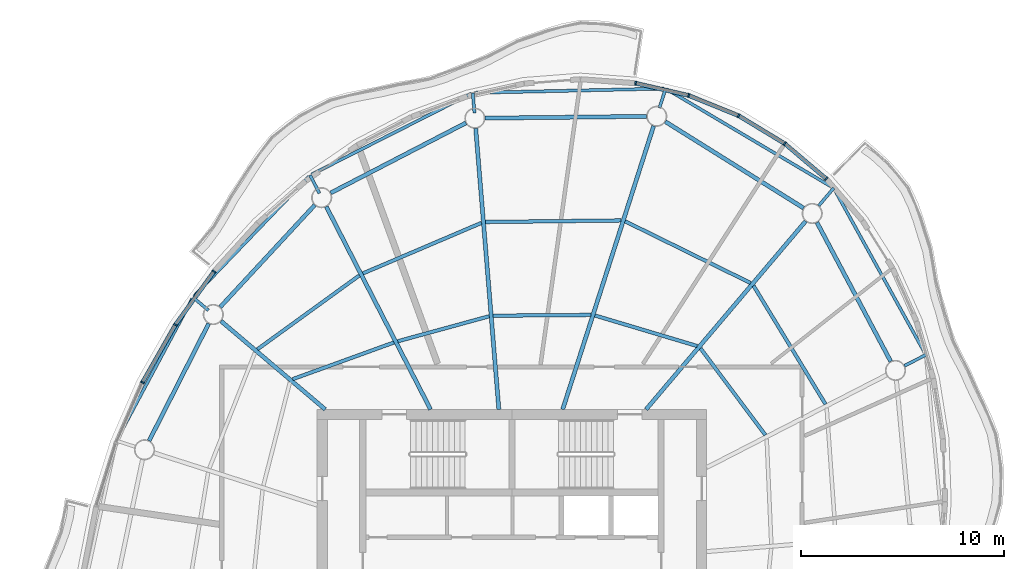
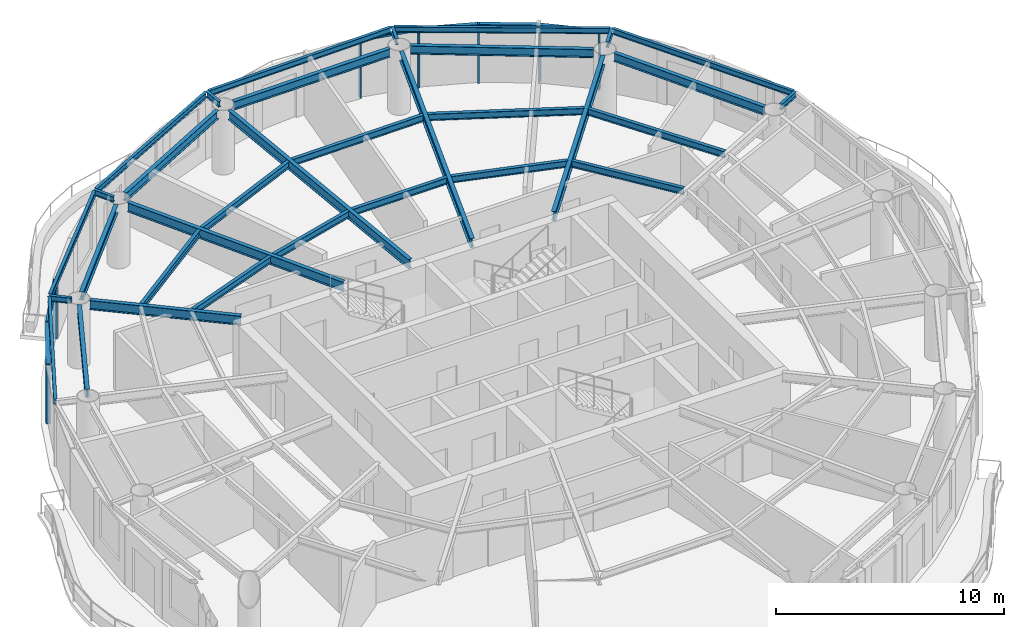
# One storey, part 5 of 13: 33 beams, 14 members, 7 elements without a shape of their own.
"""IFC4 building model written with IfcOpenShell, lengths in metres."""

import ifcopenshell
import ifcopenshell.guid

model = None  # the IFC model being written
_history = None  # IfcOwnerHistory: only IFC2X3 demands one
_inside = {}  # id of a spatial element -> (the spatial element, [elements in it])
_under = {}  # id of a project, library or spatial element -> (it, [spatial elements below it])
_declared = {}  # id of a project -> (the project, [libraries it declares])
_typed = {}  # id of a type object -> (the type object, [elements of that type])
_made_of = {}  # id of a material, layer set ... -> (it, [elements and type objects made of it])


def new_model(schema):
    """Start an empty IFC model of exactly this schema.

    Asked for "IFC4X3", IfcOpenShell would pick the latest addendum, in which some entities
    have other attributes; the version numbers below select the first issue.
    IFC2X3 requires an IfcOwnerHistory on every rooted entity: one is made here for all.
    """
    global model, _history
    if schema == "IFC4X3":
        model = ifcopenshell.file(schema_version=(4, 3, 0, 0))
    else:
        model = ifcopenshell.file(schema=schema)
    _inside.clear()
    _under.clear()
    _declared.clear()
    _typed.clear()
    _made_of.clear()
    _history = None
    if model.schema == "IFC2X3":
        org = make("IfcOrganization", Name="unknown")
        user = make(
            "IfcPersonAndOrganization",
            ThePerson=make("IfcPerson", FamilyName="unknown"),
            TheOrganization=org,
        )
        app = make(
            "IfcApplication",
            ApplicationDeveloper=org,
            Version="unknown",
            ApplicationFullName="unknown",
            ApplicationIdentifier="unknown",
        )
        _history = make(
            "IfcOwnerHistory",
            OwningUser=user,
            OwningApplication=app,
            ChangeAction="ADDED",
            CreationDate=0,
        )
    return model


def make(cls, **values):
    """One entity of the class cls with the attributes given. An attribute that is None is left unset."""
    return model.create_entity(
        cls, **{name: value for name, value in values.items() if value is not None}
    )


def rooted(cls, **values):
    """An entity with a GlobalId (a new one), such as an element, a storey or a relation."""
    return make(cls, GlobalId=ifcopenshell.guid.new(), OwnerHistory=_history, **values)


def si_unit(unit_type, name, prefix=None):
    """IfcSIUnit, for example si_unit("LENGTHUNIT", "METRE", prefix="MILLI")."""
    return make("IfcSIUnit", UnitType=unit_type, Prefix=prefix, Name=name)


def assignment(units):
    """IfcUnitAssignment: the units of a project."""
    return None if units is None else make("IfcUnitAssignment", Units=units)


def point(xyz):
    """IfcCartesianPoint."""
    return None if xyz is None else make("IfcCartesianPoint", Coordinates=xyz)


def direction(xyz):
    """IfcDirection."""
    return None if xyz is None else make("IfcDirection", DirectionRatios=xyz)


def frame(location, z_axis=None, x_axis=None):
    """IfcAxis2Placement3D, a coordinate frame: its origin and axes. An axis left out is left unset."""
    return make(
        "IfcAxis2Placement3D",
        Location=point(location),
        Axis=direction(z_axis),
        RefDirection=direction(x_axis),
    )


def frame_2d(location, x_axis=None):
    """IfcAxis2Placement2D, a coordinate frame in the plane: its origin and x axis."""
    return make(
        "IfcAxis2Placement2D", Location=point(location), RefDirection=direction(x_axis)
    )


def origin():
    """The frame at (0, 0, 0) with its axes left unset."""
    return frame((0.0, 0.0, 0.0))


def origin_2d():
    """The frame at (0, 0) in the plane with its x axis left unset."""
    return frame_2d((0.0, 0.0))


def place(relative_to, where):
    """IfcLocalPlacement: puts the frame where relative to a parent placement (None: the world)."""
    return make(
        "IfcLocalPlacement", PlacementRelTo=relative_to, RelativePlacement=where
    )


def context(
    kind, dimensions, precision=None, world=None, true_north=None, identifier=None
):
    """IfcGeometricRepresentationContext, for example the 3D "Model" context."""
    return make(
        "IfcGeometricRepresentationContext",
        ContextIdentifier=identifier,
        ContextType=kind,
        CoordinateSpaceDimension=dimensions,
        Precision=precision,
        WorldCoordinateSystem=world,
        TrueNorth=true_north,
    )


def subcontext(parent, identifier, kind, view, scale=None):
    """IfcGeometricRepresentationSubContext, for example "Body" below "Model"."""
    return make(
        "IfcGeometricRepresentationSubContext",
        ContextIdentifier=identifier,
        ContextType=kind,
        ParentContext=parent,
        TargetScale=scale,
        TargetView=view,
    )


def project(units=None, contexts=None):
    """IfcProject with its units and contexts."""
    return rooted(
        "IfcProject",
        Name="project",
        RepresentationContexts=contexts,
        UnitsInContext=assignment(units),
    )


def spatial(cls, under=None, at=None, **own):
    """A site, building, storey or space (cls), placed at a placement, below another one or the project."""
    s = rooted(cls, ObjectPlacement=at, **own)
    if under is not None:
        _under.setdefault(under.id(), (under, []))[1].append(s)
    return s


def profile(cls, at=None, kind="AREA", **sizes):
    """A parametric profile (cls). Its sizes go by their IFC names, for example OverallWidth=200.0."""
    return make(cls, ProfileType=kind, Position=at, **sizes)


def rectangle(**sizes):
    """IfcRectangleProfileDef."""
    return profile("IfcRectangleProfileDef", **sizes)


def i_section(**sizes):
    """IfcIShapeProfileDef."""
    return profile("IfcIShapeProfileDef", **sizes)


def extrude(swept, where, along, depth):
    """IfcExtrudedAreaSolid: the profile swept, set in the frame where, extruded along a direction by depth."""
    return make(
        "IfcExtrudedAreaSolid",
        SweptArea=swept,
        Position=where,
        ExtrudedDirection=direction(along),
        Depth=depth,
    )


def shape(context_of_items, identifier, shape_type, items):
    """IfcShapeRepresentation: the items that make up one representation, for example the "Body"."""
    return make(
        "IfcShapeRepresentation",
        ContextOfItems=context_of_items,
        RepresentationIdentifier=identifier,
        RepresentationType=shape_type,
        Items=items,
    )


def material(Name=None, Category=None):
    """IfcMaterial."""
    return make("IfcMaterial", Name=Name, Category=Category)


def material_profile(
    of_material, cross_section, Name=None, Category=None, Priority=None
):
    """IfcMaterialProfile: a cross section and its material."""
    return make(
        "IfcMaterialProfile",
        Name=Name,
        Material=of_material,
        Profile=cross_section,
        Priority=Priority,
        Category=Category,
    )


def profile_set(profiles, Name=None, composite=None):
    """IfcMaterialProfileSet."""
    return make(
        "IfcMaterialProfileSet",
        Name=Name,
        MaterialProfiles=profiles,
        CompositeProfile=composite,
    )


def made_of(thing, what):
    """Note that an element or type object is made of a material, layer set ...; save() writes the relation."""
    if what is not None:
        _made_of.setdefault(what.id(), (what, []))[1].append(thing)
    return thing


def type_object(cls, material=None, **own):
    """A type object (cls), such as IfcWallType, which elements share."""
    return made_of(rooted(cls, **own), material)


def element(
    cls,
    number,
    at=None,
    inside=None,
    cuts=None,
    type_object=None,
    material=None,
    context=None,
    identifier="Body",
    shape_type=None,
    held_by="IfcProductDefinitionShape",
    body=None,
    shapes=None,
    **own,
):
    """One element of the class cls, such as IfcWall. Its Tag is "e" and its number.

    at: its placement. inside: the storey or other place that contains it. cuts: it is an
    opening in that element (IfcRelVoidsElement). A single representation is given by context,
    identifier, shape_type and body (its items); several are given by shapes. held_by: the class
    of the entity that holds the representations. save() writes the other relations.
    """
    e = rooted(cls, Tag="e%d" % number, ObjectPlacement=at, **own)
    if body is not None:
        shapes = [shape(context, identifier, shape_type, body)]
    if shapes is not None:
        e.Representation = make(held_by, Representations=shapes)
    if inside is not None:
        _inside.setdefault(inside.id(), (inside, []))[1].append(e)
    if cuts is not None:
        rooted(
            "IfcRelVoidsElement", RelatingBuildingElement=cuts, RelatedOpeningElement=e
        )
    if type_object is not None:
        _typed.setdefault(type_object.id(), (type_object, []))[1].append(e)
    return made_of(e, material)


def aggregate(whole, parts):
    """IfcRelAggregates: a whole, such as a stair, and the parts it consists of."""
    return rooted("IfcRelAggregates", RelatingObject=whole, RelatedObjects=parts)


def save(model, path):
    """Write the relations noted so far, then the file.

    IfcRelAggregates (storeys below a building ...), IfcRelContainedInSpatialStructure (elements
    in a storey), IfcRelDefinesByType, IfcRelAssociatesMaterial and IfcRelDeclares: one each for
    every whole, place, type object, material and project.
    """
    for whole, parts in _under.values():
        aggregate(whole, parts)
    for where, things in _inside.values():
        rooted(
            "IfcRelContainedInSpatialStructure",
            RelatedElements=things,
            RelatingStructure=where,
        )
    for kind, things in _typed.values():
        rooted("IfcRelDefinesByType", RelatedObjects=things, RelatingType=kind)
    for what, things in _made_of.values():
        rooted("IfcRelAssociatesMaterial", RelatedObjects=things, RelatingMaterial=what)
    for by, libraries in _declared.values():
        rooted("IfcRelDeclares", RelatingContext=by, RelatedDefinitions=libraries)
    model.write(path)


model = new_model("IFC4")

# Units and contexts
model_context = context("Model", 3, precision=1e-05, world=origin(), true_north=direction((0.0, 1.0)))
body_context = subcontext(model_context, "Body", "Model", "MODEL_VIEW")
ifc_project = project(units=[si_unit("LENGTHUNIT", "METRE"), si_unit("AREAUNIT", "SQUARE_METRE"), si_unit("VOLUMEUNIT", "CUBIC_METRE"), si_unit("PLANEANGLEUNIT", "RADIAN"), si_unit("MASSUNIT", "GRAM", prefix="KILO")], contexts=[model_context])

# Site, building, storey
site_placement = place(None, origin())
site = spatial("IfcSite", under=ifc_project, at=site_placement, CompositionType="ELEMENT")
building_placement = place(site_placement, origin())
building = spatial("IfcBuilding", under=site, at=building_placement, Name="Vermilion Reach Broadcast Tower", CompositionType="ELEMENT")
storey_placement = place(building_placement, frame((0.0, 0.0, 286.5)))
storey = spatial("IfcBuildingStorey", under=building, at=storey_placement, Name="L71", CompositionType="ELEMENT", Elevation=286.5)

# Beams
ifc_material_1 = material(Name="Steel S355J2", Category="steel")
ifc_material_profile_1 = material_profile(ifc_material_1, i_section(OverallWidth=0.14990234375, OverallDepth=0.300048828125, WebThickness=0.006591796875, FlangeThickness=0.009033203125, at=origin_2d()), Name="S355J2 HN 300x150x6.5x9")
ifc_profile_set_1 = profile_set([ifc_material_profile_1], Name="Steel S355J2")
beam_type_1 = type_object("IfcBeamType", Name="EB5 HN 300x150x6.5x9", PredefinedType="BEAM", material=ifc_profile_set_1)
beam_1_placement = place(storey_placement, frame((1.4970703125, 23.6103515625, 3.300048828125), z_axis=(-0.999756106831, -0.022084538785, 0.0), x_axis=(0.022084538785, -0.999756106831, 0.0)))
element("IfcBeam", 1, at=beam_1_placement, inside=storey, type_object=beam_type_1, Name="Edge beam EB5-01", PredefinedType="BEAM", context=body_context, shape_type="SweptSolid", body=[
    extrude(i_section(OverallWidth=0.14990234375, OverallDepth=0.300048828125, WebThickness=0.006591796875, FlangeThickness=0.009033203125, at=origin_2d()), origin(), (0.0, 0.0, 1.0), 9.352294921875),
])
beam_2_placement = place(storey_placement, frame((-8.000244140625, 23.365478515625, 3.300048828125), z_axis=(-0.892020021108, -0.451995887086, 0.0), x_axis=(0.451995887086, -0.892020021108, 0.0)))
element("IfcBeam", 2, at=beam_2_placement, inside=storey, type_object=beam_type_1, Name="Edge beam EB5-02", PredefinedType="BEAM", context=body_context, shape_type="SweptSolid", body=[
    extrude(i_section(OverallWidth=0.14990234375, OverallDepth=0.300048828125, WebThickness=0.006591796875, FlangeThickness=0.009033203125, at=origin_2d()), origin(), (0.0, 0.0, 1.0), 8.830078125),
])
beam_3_placement = place(storey_placement, frame((-15.998779296875, 19.283203125, 3.300048828125), z_axis=(-0.692596409153, -0.721325317751, 0.0), x_axis=(0.721325317751, -0.692596409153, 0.0)))
element("IfcBeam", 3, at=beam_3_placement, inside=storey, type_object=beam_type_1, Name="Edge beam EB5-03", PredefinedType="BEAM", context=body_context, shape_type="SweptSolid", body=[
    extrude(i_section(OverallWidth=0.14990234375, OverallDepth=0.300048828125, WebThickness=0.006591796875, FlangeThickness=0.009033203125, at=origin_2d()), origin(), (0.0, 0.0, 1.0), 8.18359375),
])
beam_4_placement = place(storey_placement, frame((-21.7548828125, 13.258056640625, 3.300048828125), z_axis=(-0.471195709216, -0.882028686391, 0.0), x_axis=(0.882028686391, -0.471195709216, 0.0)))
element("IfcBeam", 4, at=beam_4_placement, inside=storey, type_object=beam_type_1, Name="Edge beam EB5-04", PredefinedType="BEAM", context=body_context, shape_type="SweptSolid", body=[
    extrude(i_section(OverallWidth=0.14990234375, OverallDepth=0.300048828125, WebThickness=0.006591796875, FlangeThickness=0.009033203125, at=origin_2d()), origin(), (0.0, 0.0, 1.0), 7.862548828125),
])
beam_5_placement = place(storey_placement, frame((14.3662109375, 10.5556640625, 3.300048828125), z_axis=(-0.483780975523, 0.875189103978, 0.0), x_axis=(-0.875189103978, -0.483780975523, 0.0)))
element("IfcBeam", 5, at=beam_5_placement, inside=storey, type_object=beam_type_1, Name="Edge beam EB5-15", PredefinedType="BEAM", context=body_context, shape_type="SweptSolid", body=[
    extrude(i_section(OverallWidth=0.14990234375, OverallDepth=0.300048828125, WebThickness=0.006591796875, FlangeThickness=0.009033203125, at=origin_2d()), origin(), (0.0, 0.0, 1.0), 9.234619140625),
])
beam_6_placement = place(storey_placement, frame((9.79443359375, 18.74658203125, 3.300048828125), z_axis=(-0.860491146518, 0.509465393097, 0.0), x_axis=(-0.509465393097, -0.860491146518, 0.0)))
element("IfcBeam", 6, at=beam_6_placement, inside=storey, type_object=beam_type_1, Name="Edge beam EB5-16", PredefinedType="BEAM", context=body_context, shape_type="SweptSolid", body=[
    extrude(i_section(OverallWidth=0.14990234375, OverallDepth=0.300048828125, WebThickness=0.006591796875, FlangeThickness=0.009033203125, at=origin_2d()), origin(), (0.0, 0.0, 1.0), 9.473388671875),
])
ifc_material_2 = material(Name="Steel S355J2", Category="steel")
ifc_material_profile_2 = material_profile(ifc_material_2, i_section(OverallWidth=0.199951171875, OverallDepth=0.5, WebThickness=0.010009765625, FlangeThickness=0.01611328125, at=origin_2d()), Name="S355J2 HN 500x200x10x16")
ifc_profile_set_2 = profile_set([ifc_material_profile_2], Name="Steel S355J2")
beam_type_2 = type_object("IfcBeamType", Name="G5 HN 500x200x10x16", PredefinedType="BEAM", material=ifc_profile_set_2)
beam_7_placement = place(storey_placement, frame((-3.497314453125, 7.800048828125, 3.199951171875), z_axis=(0.305545401295, 0.952177508528, 0.0), x_axis=(-0.952177508528, 0.305545401295, 0.0)))
element("IfcBeam", 7, at=beam_7_placement, inside=storey, type_object=beam_type_2, Name="Girder G5-01", PredefinedType="BEAM", context=body_context, shape_type="SweptSolid", body=[
    extrude(i_section(OverallWidth=0.199951171875, OverallDepth=0.5, WebThickness=0.010009765625, FlangeThickness=0.01611328125, at=origin_2d()), origin(), (0.0, 0.0, 1.0), 14.672607421875),
])
beam_8_placement = place(storey_placement, frame((-6.642578125, 7.800048828125, 3.199951171875), z_axis=(-0.082123744247, 0.996622140347, 0.0), x_axis=(-0.996622140347, -0.082123744247, 0.0)))
element("IfcBeam", 8, at=beam_8_placement, inside=storey, type_object=beam_type_2, Name="Girder G5-02", PredefinedType="BEAM", context=body_context, shape_type="SweptSolid", body=[
    extrude(i_section(OverallWidth=0.199951171875, OverallDepth=0.5, WebThickness=0.010009765625, FlangeThickness=0.01611328125, at=origin_2d()), origin(), (0.0, 0.0, 1.0), 13.89794921875),
])
beam_9_placement = place(storey_placement, frame((-10.010498046875, 7.800048828125, 3.199951171875), z_axis=(-0.457258168112, 0.889334002327, 0.0), x_axis=(-0.889334002327, -0.457258168112, 0.0)))
element("IfcBeam", 9, at=beam_9_placement, inside=storey, type_object=beam_type_2, Name="Girder G5-03", PredefinedType="BEAM", context=body_context, shape_type="SweptSolid", body=[
    extrude(i_section(OverallWidth=0.199951171875, OverallDepth=0.5, WebThickness=0.010009765625, FlangeThickness=0.01611328125, at=origin_2d()), origin(), (0.0, 0.0, 1.0), 11.236328125),
])
beam_10_placement = place(storey_placement, frame((-15.20068359375, 7.800048828125, 3.199951171875), z_axis=(-0.762793125612, 0.646642596431, 0.0), x_axis=(-0.646642596431, -0.762793125612, 0.0)))
element("IfcBeam", 10, at=beam_10_placement, inside=storey, type_object=beam_type_2, Name="Girder G5-04", PredefinedType="BEAM", context=body_context, shape_type="SweptSolid", body=[
    extrude(i_section(OverallWidth=0.199951171875, OverallDepth=0.5, WebThickness=0.010009765625, FlangeThickness=0.01611328125, at=origin_2d()), origin(), (0.0, 0.0, 1.0), 6.732421875),
])
beam_11_placement = place(storey_placement, frame((0.612548828125, 7.800048828125, 3.199951171875), z_axis=(0.646658335602, 0.762779782766, 0.0), x_axis=(-0.762779782766, 0.646658335602, 0.0)))
element("IfcBeam", 11, at=beam_11_placement, inside=storey, type_object=beam_type_2, Name="Girder G5-16", PredefinedType="BEAM", context=body_context, shape_type="SweptSolid", body=[
    extrude(i_section(OverallWidth=0.199951171875, OverallDepth=0.5, WebThickness=0.010009765625, FlangeThickness=0.01611328125, at=origin_2d()), origin(), (0.0, 0.0, 1.0), 12.16064453125),
])
ifc_material_3 = material(Name="Steel S355J2", Category="steel")
ifc_material_profile_3 = material_profile(ifc_material_3, i_section(OverallWidth=0.14990234375, OverallDepth=0.300048828125, WebThickness=0.006591796875, FlangeThickness=0.009033203125, at=origin_2d()), Name="S355J2 HN 300x150x6.5x9")
ifc_profile_set_3 = profile_set([ifc_material_profile_3], Name="Steel S355J2")
beam_type_3 = type_object("IfcBeamType", Name="GS5 HN 300x150x6.5x9", PredefinedType="BEAM", material=ifc_profile_set_3)
for number, where, z_axis, x_axis, name in (
    (12, (1.27099609375, 22.659912109375, 3.300048828125), (0.305440085295, 0.952211297084, 0.0), (-0.952211297084, 0.305440085295, 0.0), "Cantilever stub GS5-01"),
    (13, (-7.845947265625, 22.405517578125, 3.300048828125), (-0.082277653912, 0.996609445905, 0.0), (-0.996609445905, -0.082277653912, 0.0), "Cantilever stub GS5-02"),
    (14, (-15.486572265625, 18.450927734375, 3.300048828125), (-0.457243204998, 0.889341695572, 0.0), (-0.889341695572, -0.457243204998, 0.0), "Cantilever stub GS5-03"),
    (15, (-20.9560546875, 12.67919921875, 3.300048828125), (-0.762709837443, 0.64674083207, 0.0), (-0.64674083207, -0.762709837443, 0.0), "Cantilever stub GS5-04"),
):
    element("IfcBeam", number, at=place(storey_placement, frame(where, z_axis=z_axis, x_axis=x_axis)), inside=storey, type_object=beam_type_3, Name=name, PredefinedType="BEAM", context=body_context, shape_type="SweptSolid", body=[
        extrude(i_section(OverallWidth=0.14990234375, OverallDepth=0.300048828125, WebThickness=0.006591796875, FlangeThickness=0.009033203125, at=origin_2d()), origin(), (0.0, 0.0, 1.0), 1.0),
    ])
beam_12_placement = place(storey_placement, frame((13.35009765625, 9.948974609375, 3.300048828125), z_axis=(0.889378883648, 0.457170866658, 0.0), x_axis=(-0.457170866658, 0.889378883648, 0.0)))
element("IfcBeam", 16, at=beam_12_placement, inside=storey, type_object=beam_type_3, Name="Cantilever stub GS5-15", PredefinedType="BEAM", context=body_context, shape_type="SweptSolid", body=[
    extrude(i_section(OverallWidth=0.14990234375, OverallDepth=0.300048828125, WebThickness=0.006591796875, FlangeThickness=0.009033203125, at=origin_2d()), origin(), (0.0, 0.0, 1.0), 1.183349609375),
])
beam_13_placement = place(storey_placement, frame((9.123046875, 17.838623046875, 3.300048828125), z_axis=(0.646547054525, 0.762874109067, 0.0), x_axis=(-0.762874109067, 0.646547054525, 0.0)))
element("IfcBeam", 17, at=beam_13_placement, inside=storey, type_object=beam_type_3, Name="Cantilever stub GS5-16", PredefinedType="BEAM", context=body_context, shape_type="SweptSolid", body=[
    extrude(i_section(OverallWidth=0.14990234375, OverallDepth=0.300048828125, WebThickness=0.006591796875, FlangeThickness=0.009033203125, at=origin_2d()), origin(), (0.0, 0.0, 1.0), 1.1396484375),
])
ifc_material_4 = material(Name="Steel S355J2", Category="steel")
ifc_material_profile_4 = material_profile(ifc_material_4, i_section(OverallWidth=0.199951171875, OverallDepth=0.449951171875, WebThickness=0.009033203125, FlangeThickness=0.013916015625, at=origin_2d()), Name="S355J2 HN 450x200x9x14")
ifc_profile_set_4 = profile_set([ifc_material_profile_4], Name="Steel S355J2")
beam_type_4 = type_object("IfcBeamType", Name="RB5 HN 450x200x9x14", PredefinedType="BEAM", material=ifc_profile_set_4)
beam_14_placement = place(storey_placement, frame((0.638427734375, 22.24169921875, 3.22509765625), z_axis=(-0.999940445231, -0.010913569149, 0.0), x_axis=(0.010913569149, -0.999940445231, 0.0)))
element("IfcBeam", 18, at=beam_14_placement, inside=storey, type_object=beam_type_4, Name="Ring beam RB5-01", PredefinedType="BEAM", context=body_context, shape_type="SweptSolid", body=[
    extrude(i_section(OverallWidth=0.199951171875, OverallDepth=0.449951171875, WebThickness=0.009033203125, FlangeThickness=0.013916015625, at=origin_2d()), origin(), (0.0, 0.0, 1.0), 7.9638671875),
])
beam_15_placement = place(storey_placement, frame((-8.268798828125, 21.91943359375, 3.22509765625), z_axis=(-0.887960248279, -0.459920207729, 0.0), x_axis=(0.459920207729, -0.887960248279, 0.0)))
element("IfcBeam", 19, at=beam_15_placement, inside=storey, type_object=beam_type_4, Name="Ring beam RB5-02", PredefinedType="BEAM", context=body_context, shape_type="SweptSolid", body=[
    extrude(i_section(OverallWidth=0.199951171875, OverallDepth=0.449951171875, WebThickness=0.009033203125, FlangeThickness=0.013916015625, at=origin_2d()), origin(), (0.0, 0.0, 1.0), 7.5048828125),
])
beam_16_placement = place(storey_placement, frame((-15.716796875, 17.87109375, 3.22509765625), z_axis=(-0.679837550075, -0.733362738014, 0.0), x_axis=(0.733362738014, -0.679837550075, 0.0)))
element("IfcBeam", 20, at=beam_16_placement, inside=storey, type_object=beam_type_4, Name="Ring beam RB5-03", PredefinedType="BEAM", context=body_context, shape_type="SweptSolid", body=[
    extrude(i_section(OverallWidth=0.199951171875, OverallDepth=0.449951171875, WebThickness=0.009033203125, FlangeThickness=0.013916015625, at=origin_2d()), origin(), (0.0, 0.0, 1.0), 6.85546875),
])
beam_17_placement = place(storey_placement, frame((-20.944091796875, 12.03125, 3.22509765625), z_axis=(-0.453052302855, -0.891483937532, 0.0), x_axis=(0.891483937532, -0.453052302855, 0.0)))
element("IfcBeam", 21, at=beam_17_placement, inside=storey, type_object=beam_type_4, Name="Ring beam RB5-04", PredefinedType="BEAM", context=body_context, shape_type="SweptSolid", body=[
    extrude(i_section(OverallWidth=0.199951171875, OverallDepth=0.449951171875, WebThickness=0.009033203125, FlangeThickness=0.013916015625, at=origin_2d()), origin(), (0.0, 0.0, 1.0), 6.47900390625),
])
beam_18_placement = place(storey_placement, frame((12.671142578125, 10.161865234375, 3.22509765625), z_axis=(-0.468767917375, 0.883321368269, 0.0), x_axis=(-0.883321368269, -0.468767917375, 0.0)))
element("IfcBeam", 22, at=beam_18_placement, inside=storey, type_object=beam_type_4, Name="Ring beam RB5-15", PredefinedType="BEAM", context=body_context, shape_type="SweptSolid", body=[
    extrude(i_section(OverallWidth=0.199951171875, OverallDepth=0.449951171875, WebThickness=0.009033203125, FlangeThickness=0.013916015625, at=origin_2d()), origin(), (0.0, 0.0, 1.0), 7.759033203125),
])
beam_19_placement = place(storey_placement, frame((8.375732421875, 17.722412109375, 3.22509765625), z_axis=(-0.847914653245, 0.530132757724, 0.0), x_axis=(-0.530132757724, -0.847914653245, 0.0)))
element("IfcBeam", 23, at=beam_19_placement, inside=storey, type_object=beam_type_4, Name="Ring beam RB5-16", PredefinedType="BEAM", context=body_context, shape_type="SweptSolid", body=[
    extrude(i_section(OverallWidth=0.199951171875, OverallDepth=0.449951171875, WebThickness=0.009033203125, FlangeThickness=0.013916015625, at=origin_2d()), origin(), (0.0, 0.0, 1.0), 8.035400390625),
])
ifc_material_5 = material(Name="Steel S355J2", Category="steel")
ifc_material_profile_5 = material_profile(ifc_material_5, i_section(OverallWidth=0.175048828125, OverallDepth=0.35009765625, WebThickness=0.007080078125, FlangeThickness=0.010986328125, at=origin_2d()), Name="S355J2 HN 350x175x7x11")
ifc_profile_set_5 = profile_set([ifc_material_profile_5], Name="Steel S355J2")
beam_type_5 = type_object("IfcBeamType", Name="SB5 HN 350x175x7x11", PredefinedType="BEAM", material=ifc_profile_set_5)
beam_20_placement = place(storey_placement, frame((-2.108154296875, 12.4560546875, 3.27490234375), z_axis=(-0.999968312294, -0.007960804474, 0.0), x_axis=(0.007960804474, -0.999968312294, 0.0)))
element("IfcBeam", 24, at=beam_20_placement, inside=storey, type_object=beam_type_5, Name="Secondary beam SB5-01-1", PredefinedType="BEAM", context=body_context, shape_type="SweptSolid", body=[
    extrude(i_section(OverallWidth=0.175048828125, OverallDepth=0.35009765625, WebThickness=0.007080078125, FlangeThickness=0.010986328125, at=origin_2d()), origin(), (0.0, 0.0, 1.0), 4.81494140625),
])
beam_21_placement = place(storey_placement, frame((-0.614013671875, 17.11279296875, 3.27490234375), z_axis=(-0.999932654133, -0.011605481368, 0.0), x_axis=(0.011605481368, -0.999932654133, 0.0)))
element("IfcBeam", 25, at=beam_21_placement, inside=storey, type_object=beam_type_5, Name="Secondary beam SB5-01-2", PredefinedType="BEAM", context=body_context, shape_type="SweptSolid", body=[
    extrude(i_section(OverallWidth=0.175048828125, OverallDepth=0.35009765625, WebThickness=0.007080078125, FlangeThickness=0.010986328125, at=origin_2d()), origin(), (0.0, 0.0, 1.0), 6.689697265625),
])
beam_22_placement = place(storey_placement, frame((-7.12109375, 12.39013671875, 3.27490234375), z_axis=(-0.964547496851, -0.263909314573, 0.0), x_axis=(0.263909314573, -0.964547496851, 0.0)))
element("IfcBeam", 26, at=beam_22_placement, inside=storey, type_object=beam_type_5, Name="Secondary beam SB5-02-1", PredefinedType="BEAM", context=body_context, shape_type="SweptSolid", body=[
    extrude(i_section(OverallWidth=0.175048828125, OverallDepth=0.35009765625, WebThickness=0.007080078125, FlangeThickness=0.010986328125, at=origin_2d()), origin(), (0.0, 0.0, 1.0), 4.6689453125),
])
beam_23_placement = place(storey_placement, frame((-7.50048828125, 16.99267578125, 3.27490234375), z_axis=(-0.919880986172, -0.392197617637, 0.0), x_axis=(0.392197617637, -0.919880986172, 0.0)))
element("IfcBeam", 27, at=beam_23_placement, inside=storey, type_object=beam_type_5, Name="Secondary beam SB5-02-2", PredefinedType="BEAM", context=body_context, shape_type="SweptSolid", body=[
    extrude(i_section(OverallWidth=0.175048828125, OverallDepth=0.35009765625, WebThickness=0.007080078125, FlangeThickness=0.010986328125, at=origin_2d()), origin(), (0.0, 0.0, 1.0), 6.351806640625),
])
beam_24_placement = place(storey_placement, frame((-11.81787109375, 11.0966796875, 3.27490234375), z_axis=(-0.940220108875, -0.340567389613, 0.0), x_axis=(0.340567389613, -0.940220108875, 0.0)))
element("IfcBeam", 28, at=beam_24_placement, inside=storey, type_object=beam_type_5, Name="Secondary beam SB5-03-1", PredefinedType="BEAM", context=body_context, shape_type="SweptSolid", body=[
    extrude(i_section(OverallWidth=0.175048828125, OverallDepth=0.35009765625, WebThickness=0.007080078125, FlangeThickness=0.010986328125, at=origin_2d()), origin(), (0.0, 0.0, 1.0), 5.303466796875),
])
beam_25_placement = place(storey_placement, frame((-13.517578125, 14.402587890625, 3.27490234375), z_axis=(-0.809771251518, -0.586745703192, 0.0), x_axis=(0.586745703192, -0.809771251518, 0.0)))
element("IfcBeam", 29, at=beam_25_placement, inside=storey, type_object=beam_type_5, Name="Secondary beam SB5-03-2", PredefinedType="BEAM", context=body_context, shape_type="SweptSolid", body=[
    extrude(i_section(OverallWidth=0.175048828125, OverallDepth=0.35009765625, WebThickness=0.007080078125, FlangeThickness=0.010986328125, at=origin_2d()), origin(), (0.0, 0.0, 1.0), 6.20361328125),
])
beam_26_placement = place(storey_placement, frame((6.492919921875, 6.53564453125, 3.27490234375), z_axis=(-0.599055582645, 0.800707442767, 0.0), x_axis=(-0.800707442767, -0.599055582645, 0.0)))
element("IfcBeam", 30, at=beam_26_placement, inside=storey, type_object=beam_type_5, Name="Secondary beam SB5-15-1", PredefinedType="BEAM", context=body_context, shape_type="SweptSolid", body=[
    extrude(i_section(OverallWidth=0.175048828125, OverallDepth=0.35009765625, WebThickness=0.007080078125, FlangeThickness=0.010986328125, at=origin_2d()), origin(), (0.0, 0.0, 1.0), 5.337890625),
])
beam_27_placement = place(storey_placement, frame((9.455078125, 8.058837890625, 3.27490234375), z_axis=(-0.519272962556, 0.854608442714, 0.0), x_axis=(-0.854608442714, -0.519272962556, 0.0)))
element("IfcBeam", 31, at=beam_27_placement, inside=storey, type_object=beam_type_5, Name="Secondary beam SB5-15-2", PredefinedType="BEAM", context=body_context, shape_type="SweptSolid", body=[
    extrude(i_section(OverallWidth=0.175048828125, OverallDepth=0.35009765625, WebThickness=0.007080078125, FlangeThickness=0.010986328125, at=origin_2d()), origin(), (0.0, 0.0, 1.0), 6.82763671875),
])
beam_28_placement = place(storey_placement, frame((3.129150390625, 10.92333984375, 3.27490234375), z_axis=(-0.958124906971, 0.286350593925, 0.0), x_axis=(-0.286350593925, -0.958124906971, 0.0)))
element("IfcBeam", 32, at=beam_28_placement, inside=storey, type_object=beam_type_5, Name="Secondary beam SB5-16-1", PredefinedType="BEAM", context=body_context, shape_type="SweptSolid", body=[
    extrude(i_section(OverallWidth=0.175048828125, OverallDepth=0.35009765625, WebThickness=0.007080078125, FlangeThickness=0.010986328125, at=origin_2d()), origin(), (0.0, 0.0, 1.0), 5.25634765625),
])
beam_29_placement = place(storey_placement, frame((5.762451171875, 14.029541015625, 3.27490234375), z_axis=(-0.897335928087, 0.441348198325, 0.0), x_axis=(-0.441348198325, -0.897335928087, 0.0)))
element("IfcBeam", 33, at=beam_29_placement, inside=storey, type_object=beam_type_5, Name="Secondary beam SB5-16-2", PredefinedType="BEAM", context=body_context, shape_type="SweptSolid", body=[
    extrude(i_section(OverallWidth=0.175048828125, OverallDepth=0.35009765625, WebThickness=0.007080078125, FlangeThickness=0.010986328125, at=origin_2d()), origin(), (0.0, 0.0, 1.0), 6.887451171875),
])

# Curtain wall, member
ifc_material_6 = material(Name="Low-e laminated clear glass in aluminium frame", Category="aluminium")
curtain_wall_type = type_object("IfcCurtainWallType", Name="Slot curtain wall", PredefinedType="NOTDEFINED", material=ifc_material_6)
placement = place(storey_placement, origin())
curtain_wall_1 = element("IfcCurtainWall", 34, at=placement, inside=storey, type_object=curtain_wall_type, Name="Slot curtain wall L71 46", PredefinedType="NOTDEFINED")
ifc_material_7 = material(Name="Anodised aluminium", Category="aluminium")
ifc_material_profile_6 = material_profile(ifc_material_7, rectangle(XDim=0.199951171875, YDim=0.080078125, at=origin_2d()), Name="Slot mullion 80 x 200")
ifc_profile_set_6 = profile_set([ifc_material_profile_6], Name="Anodised aluminium")
member_type_1 = type_object("IfcMemberType", Name="Slot mullion 80 x 200", PredefinedType="MULLION", material=ifc_profile_set_6)
member_1_placement = place(storey_placement, frame((9.4931640625, 19.163818359375, 0.0), z_axis=(0.0, 0.0, 1.0), x_axis=(-0.703562105428, -0.71063377615, 0.0)))
member_1 = element("IfcMember", 35, at=member_1_placement, type_object=member_type_1, Name="Slot mullion L71 46", PredefinedType="MULLION", context=body_context, shape_type="SweptSolid", body=[
    extrude(rectangle(XDim=0.199951171875, YDim=0.080078125, at=origin_2d()), origin(), (0.0, 0.0, 1.0), 3.14990234375),
])

curtain_wall_2 = element("IfcCurtainWall", 36, at=placement, inside=storey, type_object=curtain_wall_type, Name="Slot curtain wall L71 47", PredefinedType="NOTDEFINED")
member_2_placement = place(storey_placement, frame((7.44775390625, 20.8974609375, 0.0), z_axis=(0.0, 0.0, 1.0), x_axis=(-0.58423425323, -0.811585077088, 0.0)))
member_2 = element("IfcMember", 37, at=member_2_placement, type_object=member_type_1, Name="Slot mullion L71 47", PredefinedType="MULLION", context=body_context, shape_type="SweptSolid", body=[
    extrude(rectangle(XDim=0.199951171875, YDim=0.080078125, at=origin_2d()), origin(), (0.0, 0.0, 1.0), 3.14990234375),
])

curtain_wall_3 = element("IfcCurtainWall", 38, at=placement, inside=storey, type_object=curtain_wall_type, Name="Slot curtain wall L71 00", PredefinedType="NOTDEFINED")
member_3_placement = place(storey_placement, frame((5.174072265625, 22.275146484375, 0.0), z_axis=(0.0, 0.0, 1.0), x_axis=(-0.448383177697, -0.89384144341, 0.0)))
member_3 = element("IfcMember", 39, at=member_3_placement, type_object=member_type_1, Name="Slot mullion L71 00", PredefinedType="MULLION", context=body_context, shape_type="SweptSolid", body=[
    extrude(rectangle(XDim=0.199951171875, YDim=0.080078125, at=origin_2d()), origin(), (0.0, 0.0, 1.0), 3.14990234375),
])

# Curtain wall, members
curtain_wall_4 = element("IfcCurtainWall", 40, at=placement, inside=storey, type_object=curtain_wall_type, Name="Slot curtain wall L71 01", PredefinedType="NOTDEFINED")
member_4_placement = place(storey_placement, frame((2.710205078125, 23.27392578125, 0.0), z_axis=(0.0, 0.0, 1.0), x_axis=(-0.301223233776, -0.953553650003, 0.0)))
member_4 = element("IfcMember", 41, at=member_4_placement, type_object=member_type_1, Name="Slot mullion L71 01", PredefinedType="MULLION", context=body_context, shape_type="SweptSolid", body=[
    extrude(rectangle(XDim=0.199951171875, YDim=0.080078125, at=origin_2d()), origin(), (0.0, 0.0, 1.0), 3.14990234375),
])
member_5_placement = place(storey_placement, frame((0.09765625, 23.876953125, 0.0), z_axis=(0.0, 0.0, 1.0), x_axis=(-0.1489572903, -0.988843630543, 0.0)))
member_5 = element("IfcMember", 42, at=member_5_placement, type_object=member_type_1, Name="Slot mullion L71 02", PredefinedType="MULLION", context=body_context, shape_type="SweptSolid", body=[
    extrude(rectangle(XDim=0.199951171875, YDim=0.080078125, at=origin_2d()), origin(), (0.0, 0.0, 1.0), 3.14990234375),
])

# Curtain wall, member
curtain_wall_5 = element("IfcCurtainWall", 43, at=placement, inside=storey, type_object=curtain_wall_type, Name="Slot curtain wall L71 10", PredefinedType="NOTDEFINED")
member_6_placement = place(storey_placement, frame((-20.68359375, 14.5966796875, 0.0), z_axis=(0.0, 0.0, 1.0), x_axis=(0.776695686452, -0.629876027999, 0.0)))
member_6 = element("IfcMember", 44, at=member_6_placement, type_object=member_type_1, Name="Slot mullion L71 10", PredefinedType="MULLION", context=body_context, shape_type="SweptSolid", body=[
    extrude(rectangle(XDim=0.199951171875, YDim=0.080078125, at=origin_2d()), origin(), (0.0, 0.0, 1.0), 3.14990234375),
])

curtain_wall_6 = element("IfcCurtainWall", 45, at=placement, inside=storey, type_object=curtain_wall_type, Name="Slot curtain wall L71 11", PredefinedType="NOTDEFINED")
member_7_placement = place(storey_placement, frame((-22.586669921875, 11.967529296875, 0.0), z_axis=(0.0, 0.0, 1.0), x_axis=(0.84051062478, -0.541795062391, 0.0)))
member_7 = element("IfcMember", 46, at=member_7_placement, type_object=member_type_1, Name="Slot mullion L71 11", PredefinedType="MULLION", context=body_context, shape_type="SweptSolid", body=[
    extrude(rectangle(XDim=0.199951171875, YDim=0.080078125, at=origin_2d()), origin(), (0.0, 0.0, 1.0), 3.14990234375),
])

curtain_wall_7 = element("IfcCurtainWall", 47, at=placement, inside=storey, type_object=curtain_wall_type, Name="Slot curtain wall L71 12", PredefinedType="NOTDEFINED")
member_8_placement = place(storey_placement, frame((-24.204833984375, 9.13232421875, 0.0), z_axis=(0.0, 0.0, 1.0), x_axis=(0.893841418626, -0.448383227104, 0.0)))
member_8 = element("IfcMember", 48, at=member_8_placement, type_object=member_type_1, Name="Slot mullion L71 12", PredefinedType="MULLION", context=body_context, shape_type="SweptSolid", body=[
    extrude(rectangle(XDim=0.199951171875, YDim=0.080078125, at=origin_2d()), origin(), (0.0, 0.0, 1.0), 3.14990234375),
])
aggregate(curtain_wall_7, [member_8])

# Member
ifc_material_8 = material(Name="Anodised aluminium", Category="aluminium")
ifc_material_profile_7 = material_profile(ifc_material_8, rectangle(XDim=0.199951171875, YDim=0.10009765625, at=origin_2d()), Name="Slot transom 200 x 100")
ifc_profile_set_7 = profile_set([ifc_material_profile_7], Name="Anodised aluminium")
member_type_2 = type_object("IfcMemberType", Name="Slot transom 200 x 100", PredefinedType="USERDEFINED", material=ifc_profile_set_7)
member_9_placement = place(storey_placement, frame((9.462646484375, 19.189697265625, 3.10009765625), z_axis=(-0.762855583911, 0.646568912102, 0.0), x_axis=(-0.646568912102, -0.762855583911, 0.0)))
member_9 = element("IfcMember", 49, at=member_9_placement, type_object=member_type_2, Name="Slot transom L71 46.1", ObjectType="TRANSOM", PredefinedType="USERDEFINED", context=body_context, shape_type="SweptSolid", body=[
    extrude(rectangle(XDim=0.199951171875, YDim=0.10009765625, at=origin_2d()), origin(), (0.0, 0.0, 1.0), 2.601318359375),
])

aggregate(curtain_wall_1, [member_1, member_9])

member_10_placement = place(storey_placement, frame((7.41357421875, 20.918212890625, 3.10009765625), z_axis=(-0.855262684267, 0.51819469401, 0.0), x_axis=(-0.51819469401, -0.855262684267, 0.0)))
member_10 = element("IfcMember", 50, at=member_10_placement, type_object=member_type_2, Name="Slot transom L71 47.1", ObjectType="TRANSOM", PredefinedType="USERDEFINED", context=body_context, shape_type="SweptSolid", body=[
    extrude(rectangle(XDim=0.199951171875, YDim=0.10009765625, at=origin_2d()), origin(), (0.0, 0.0, 1.0), 2.57861328125),
])

aggregate(curtain_wall_2, [member_2, member_10])

member_11_placement = place(storey_placement, frame((5.136962890625, 22.290283203125, 3.10009765625), z_axis=(-0.926775795344, 0.375614995927, 0.0), x_axis=(-0.375614995927, -0.926775795344, 0.0)))
member_11 = element("IfcMember", 51, at=member_11_placement, type_object=member_type_2, Name="Slot transom L71 00.1", ObjectType="TRANSOM", PredefinedType="USERDEFINED", context=body_context, shape_type="SweptSolid", body=[
    extrude(rectangle(XDim=0.199951171875, YDim=0.10009765625, at=origin_2d()), origin(), (0.0, 0.0, 1.0), 2.578369140625),
])

aggregate(curtain_wall_3, [member_3, member_11])

member_12_placement = place(storey_placement, frame((2.67138671875, 23.282958984375, 3.10009765625), z_axis=(-0.974392777328, 0.224852652844, 0.0), x_axis=(-0.224852652844, -0.974392777328, 0.0)))
member_12 = element("IfcMember", 52, at=member_12_placement, type_object=member_type_2, Name="Slot transom L71 01.1", ObjectType="TRANSOM", PredefinedType="USERDEFINED", context=body_context, shape_type="SweptSolid", body=[
    extrude(rectangle(XDim=0.199951171875, YDim=0.10009765625, at=origin_2d()), origin(), (0.0, 0.0, 1.0), 2.6015625),
])

aggregate(curtain_wall_4, [member_4, member_5, member_12])

member_13_placement = place(storey_placement, frame((-20.70703125, 14.564208984375, 3.10009765625), z_axis=(-0.586340581308, -0.81006464107, 0.0), x_axis=(0.81006464107, -0.586340581308, 0.0)))
member_13 = element("IfcMember", 53, at=member_13_placement, type_object=member_type_2, Name="Slot transom L71 10.1", ObjectType="TRANSOM", PredefinedType="USERDEFINED", context=body_context, shape_type="SweptSolid", body=[
    extrude(rectangle(XDim=0.199951171875, YDim=0.10009765625, at=origin_2d()), origin(), (0.0, 0.0, 1.0), 3.165771484375),
])

aggregate(curtain_wall_5, [member_6, member_13])

member_14_placement = place(storey_placement, frame((-22.6064453125, 11.9326171875, 3.10009765625), z_axis=(-0.495726062267, -0.868478941132, 0.0), x_axis=(0.868478941132, -0.495726062267, 0.0)))
member_14 = element("IfcMember", 54, at=member_14_placement, type_object=member_type_2, Name="Slot transom L71 11.1", ObjectType="TRANSOM", PredefinedType="USERDEFINED", context=body_context, shape_type="SweptSolid", body=[
    extrude(rectangle(XDim=0.199951171875, YDim=0.10009765625, at=origin_2d()), origin(), (0.0, 0.0, 1.0), 3.184326171875),
])

aggregate(curtain_wall_6, [member_7, member_14])

save(model, "model.ifc")
